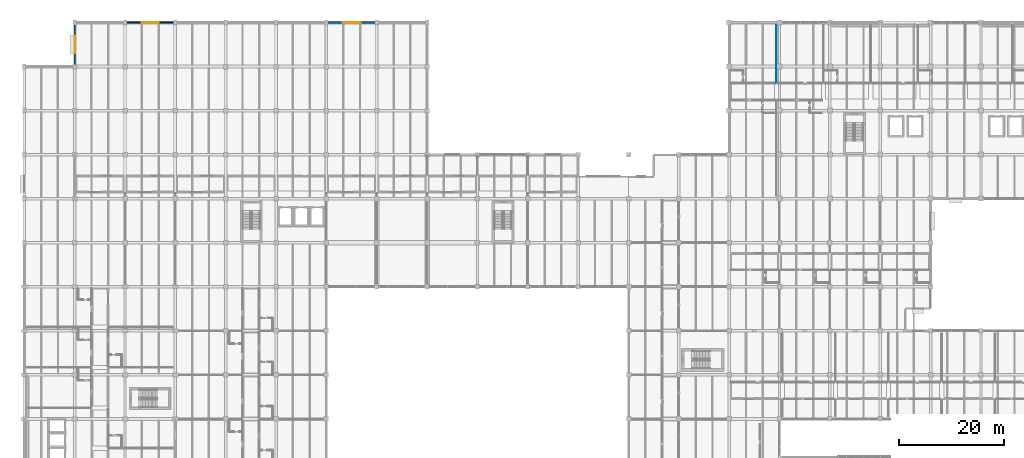
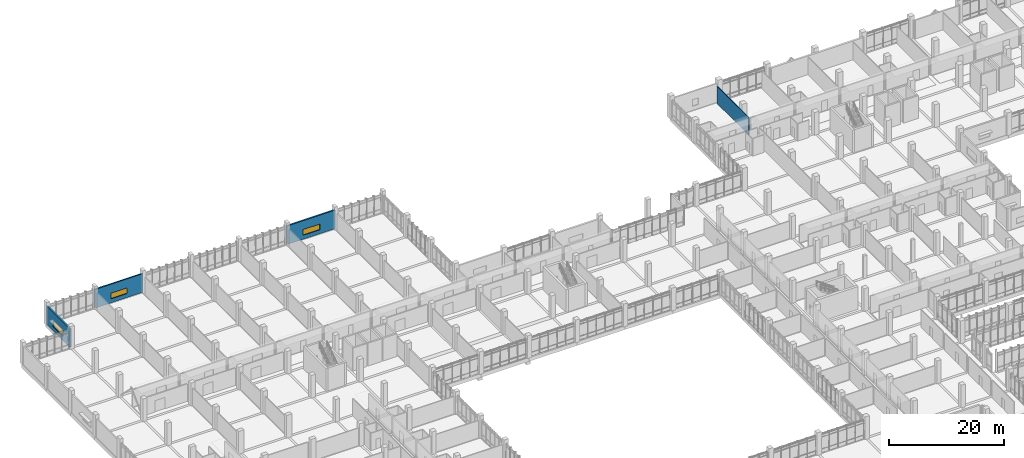
# One storey, part 133 of 152: 4 walls, 3 windows, 3 openings.
"""IFC4 building model written with IfcOpenShell, lengths in metres."""

from ifc_helpers import new_model, si_unit, direction, frame, frame_2d, origin, place, context, subcontext, project, spatial, rectangle, extrude, material, layer, layer_set, type_object, element, fill, save


model = new_model("IFC4")

# Units and contexts
model_context = context("Model", 3, precision=1e-05, world=origin(), true_north=direction((0.0, 1.0)))
body_context = subcontext(model_context, "Body", "Model", "MODEL_VIEW")
ifc_project = project(units=[si_unit("LENGTHUNIT", "METRE"), si_unit("AREAUNIT", "SQUARE_METRE"), si_unit("VOLUMEUNIT", "CUBIC_METRE"), si_unit("PLANEANGLEUNIT", "RADIAN"), si_unit("MASSUNIT", "GRAM", prefix="KILO")], contexts=[model_context])

# Site, building, storey
site_placement = place(None, origin())
site = spatial("IfcSite", under=ifc_project, at=site_placement, CompositionType="ELEMENT")
building_placement = place(site_placement, origin())
building = spatial("IfcBuilding", under=site, at=building_placement, Name="Oolite Switchyard Hospital", CompositionType="ELEMENT")
storey_placement = place(building_placement, frame((0.0, 0.0, 5.10009765625)))
storey = spatial("IfcBuildingStorey", under=building, at=storey_placement, Name="L01", CompositionType="ELEMENT", Elevation=5.10009765625)

# Wall, opening, window
ifc_material_1 = material(Name="Precast oolitic limestone architectural concrete C40/50", Category="masonry")
ifc_layer_1 = layer(ifc_material_1, 0.280029296875)
ifc_layer_set_1 = layer_set([ifc_layer_1], Name="WAL-EXT-280")
wall_type_1 = type_object("IfcWallType", Name="WAL-EXT-280", PredefinedType="SOLIDWALL", material=ifc_layer_set_1)
wall_1_placement = place(storey_placement, frame((19.199951171875, 134.39990234375, 0.0), z_axis=(0.0, 0.0, 1.0), x_axis=(1.0, 0.0, 0.0)))
wall_1 = element("IfcWall", 1, at=wall_1_placement, inside=storey, type_object=wall_type_1, Name="L01 Exterior Spandrel Wall 91", PredefinedType="SOLIDWALL", context=body_context, shape_type="SweptSolid", body=[
    extrude(rectangle(XDim=9.60009765625, YDim=0.280029296875, at=frame_2d((4.800048828125, 0.0))), origin(), (0.0, 0.0, 1.0), 3.93994140625),
])
opening_1_placement = place(wall_1_placement, frame((3.199951171875, 0.0, 0.85009765625)))
opening_1 = element("IfcOpeningElement", 2, at=opening_1_placement, cuts=wall_1, Name="Opening WN-0036", PredefinedType="OPENING", context=body_context, shape_type="SweptSolid", body=[
    extrude(rectangle(XDim=3.199951171875, YDim=1.199951171875, at=frame_2d((1.60009765625, 0.60009765625))), frame((0.0, 0.14990234375, 0.0), z_axis=(0.0, -1.0, 0.0), x_axis=(1.0, 0.0, 0.0)), (0.0, 0.0, 1.0), 0.300048828125),
])
ifc_material_2 = material(Name="Thermally broken aluminum frame with laminated impact glazing", Category="aluminium")
window_type_1 = type_object("IfcWindowType", Name="WIN-IMP-320X120", PartitioningType="SINGLE_PANEL", PredefinedType="WINDOW", material=ifc_material_2)
window_1_placement = place(opening_1_placement, origin())
window_1 = element("IfcWindow", 3, at=window_1_placement, inside=storey, type_object=window_type_1, Name="L01 Hurricane Impact Window WN-0036", OverallHeight=1.199951171875, OverallWidth=3.199951171875, PartitioningType="SINGLE_PANEL", PredefinedType="WINDOW", context=body_context, shape_type="SweptSolid", body=[
    extrude(rectangle(XDim=3.199951171875, YDim=1.199951171875, at=frame_2d((1.60009765625, 0.60009765625))), frame((0.0, 0.030029296875, 0.0), z_axis=(0.0, -1.0, 0.0), x_axis=(1.0, 0.0, 0.0)), (0.0, 0.0, 1.0), 0.06005859375),
])
fill(opening_1, window_1)

ifc_layer_2 = layer(ifc_material_1, 0.300048828125)
ifc_layer_set_2 = layer_set([ifc_layer_2], Name="WAL-EXT-300")
wall_type_2 = type_object("IfcWallType", Name="WAL-EXT-300", PredefinedType="SOLIDWALL", material=ifc_layer_set_2)
wall_2_placement = place(storey_placement, frame((57.60009765625, 134.39990234375, 0.0), z_axis=(0.0, 0.0, 1.0), x_axis=(1.0, 0.0, 0.0)))
wall_2 = element("IfcWall", 4, at=wall_2_placement, inside=storey, type_object=wall_type_2, Name="L01 Exterior Spandrel Wall 92", PredefinedType="SOLIDWALL", context=body_context, shape_type="SweptSolid", body=[
    extrude(rectangle(XDim=9.599853515625, YDim=0.300048828125, at=frame_2d((4.7998046875, 0.0))), origin(), (0.0, 0.0, 1.0), 3.93994140625),
])
opening_2_placement = place(wall_2_placement, frame((3.10009765625, 0.0, 0.85009765625)))
opening_2 = element("IfcOpeningElement", 5, at=opening_2_placement, cuts=wall_2, Name="Opening WN-0037", PredefinedType="OPENING", context=body_context, shape_type="SweptSolid", body=[
    extrude(rectangle(XDim=3.39990234375, YDim=1.199951171875, at=frame_2d((1.699951171875, 0.60009765625))), frame((0.0, 0.16015625, 0.0), z_axis=(0.0, -1.0, 0.0), x_axis=(1.0, 0.0, 0.0)), (0.0, 0.0, 1.0), 0.320068359375),
])
window_type_2 = type_object("IfcWindowType", Name="WIN-IMP-340X120", PartitioningType="SINGLE_PANEL", PredefinedType="WINDOW", material=ifc_material_2)
window_2_placement = place(opening_2_placement, origin())
window_2 = element("IfcWindow", 6, at=window_2_placement, inside=storey, type_object=window_type_2, Name="L01 Hurricane Impact Window WN-0037", OverallHeight=1.199951171875, OverallWidth=3.39990234375, PartitioningType="SINGLE_PANEL", PredefinedType="WINDOW", context=body_context, shape_type="SweptSolid", body=[
    extrude(rectangle(XDim=3.39990234375, YDim=1.199951171875, at=frame_2d((1.699951171875, 0.60009765625))), frame((0.0, 0.030029296875, 0.0), z_axis=(0.0, -1.0, 0.0), x_axis=(1.0, 0.0, 0.0)), (0.0, 0.0, 1.0), 0.06005859375),
])
fill(opening_2, window_2)

wall_3_placement = place(storey_placement, frame((9.60009765625, 126.159912109375, 0.0), z_axis=(0.0, 0.0, 1.0), x_axis=(0.0, 1.0, 0.0)))
wall_3 = element("IfcWall", 7, at=wall_3_placement, inside=storey, type_object=wall_type_2, Name="L01 Exterior Spandrel Wall 106", PredefinedType="SOLIDWALL", context=body_context, shape_type="SweptSolid", body=[
    extrude(rectangle(XDim=8.080078125, YDim=0.300048828125, at=frame_2d((4.0400390625, 0.0))), origin(), (0.0, 0.0, 1.0), 3.93994140625),
])
opening_3_placement = place(wall_3_placement, frame((2.340087890625, 0.0, 0.85009765625)))
opening_3 = element("IfcOpeningElement", 8, at=opening_3_placement, cuts=wall_3, Name="Opening WN-0041", PredefinedType="OPENING", context=body_context, shape_type="SweptSolid", body=[
    extrude(rectangle(XDim=3.39990234375, YDim=1.39990234375, at=frame_2d((1.699951171875, 0.699951171875))), frame((0.0, 0.16015625, 0.0), z_axis=(0.0, -1.0, 0.0), x_axis=(1.0, 0.0, 0.0)), (0.0, 0.0, 1.0), 0.320068359375),
])
window_type_3 = type_object("IfcWindowType", Name="WIN-IMP-340X140", PartitioningType="SINGLE_PANEL", PredefinedType="WINDOW", material=ifc_material_2)
window_3_placement = place(opening_3_placement, origin())
window_3 = element("IfcWindow", 9, at=window_3_placement, inside=storey, type_object=window_type_3, Name="L01 Hurricane Impact Window WN-0041", OverallHeight=1.39990234375, OverallWidth=3.39990234375, PartitioningType="SINGLE_PANEL", PredefinedType="WINDOW", context=body_context, shape_type="SweptSolid", body=[
    extrude(rectangle(XDim=3.39990234375, YDim=1.39990234375, at=frame_2d((1.699951171875, 0.699951171875))), frame((0.0, 0.030029296875, 0.0), z_axis=(0.0, -1.0, 0.0), x_axis=(1.0, 0.0, 0.0)), (0.0, 0.0, 1.0), 0.06005859375),
])
fill(opening_3, window_3)

# Wall
ifc_material_3 = material(Name="Moisture-resistant gypsum board on steel studs", Category="steel")
ifc_layer_3 = layer(ifc_material_3, 0.135009765625)
ifc_layer_set_3 = layer_set([ifc_layer_3], Name="WAL-PART-135")
wall_type_3 = type_object("IfcWallType", Name="WAL-PART-135", PredefinedType="PARTITIONING", material=ifc_layer_set_3)
wall_4_placement = place(storey_placement, frame((143.39990234375, 122.949951171875, 0.0), z_axis=(0.0, 0.0, 1.0), x_axis=(0.0, 1.0, 0.0)))
element("IfcWall", 10, at=wall_4_placement, inside=storey, type_object=wall_type_3, Name="L01 Interior Partition 336", PredefinedType="PARTITIONING", context=body_context, shape_type="SweptSolid", body=[
    extrude(rectangle(XDim=10.900146484375, YDim=0.135009765625, at=frame_2d((5.4501953125, 0.0))), origin(), (0.0, 0.0, 1.0), 3.679931640625),
])

save(model, "model.ifc")
